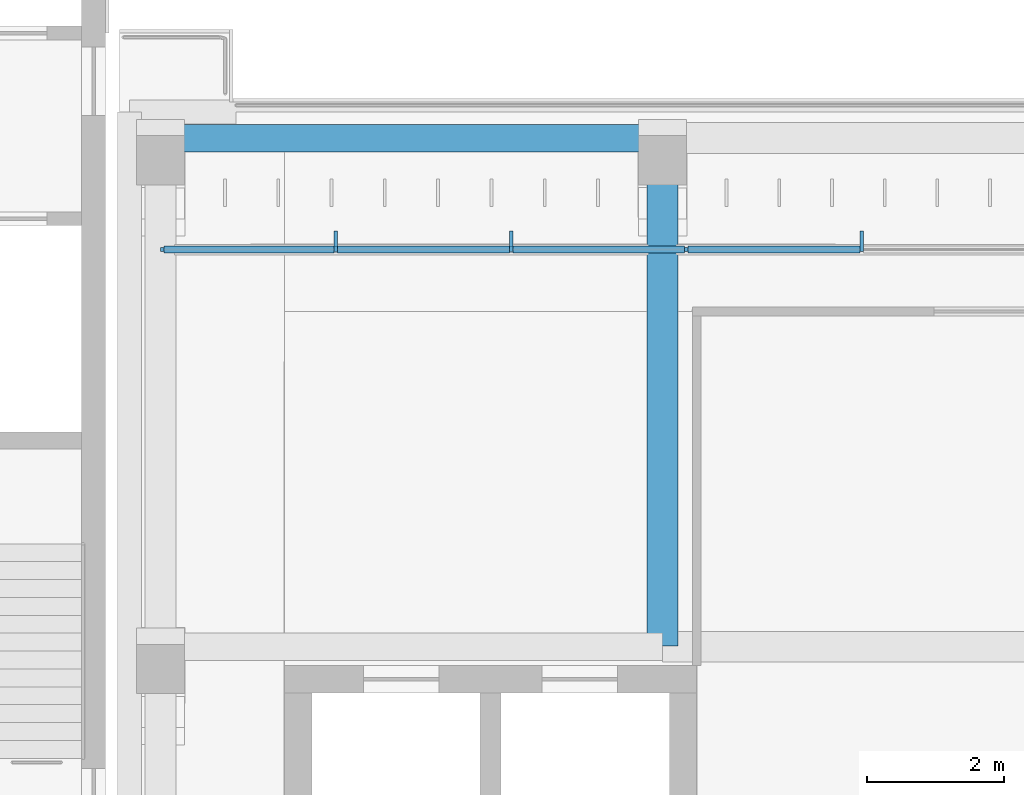
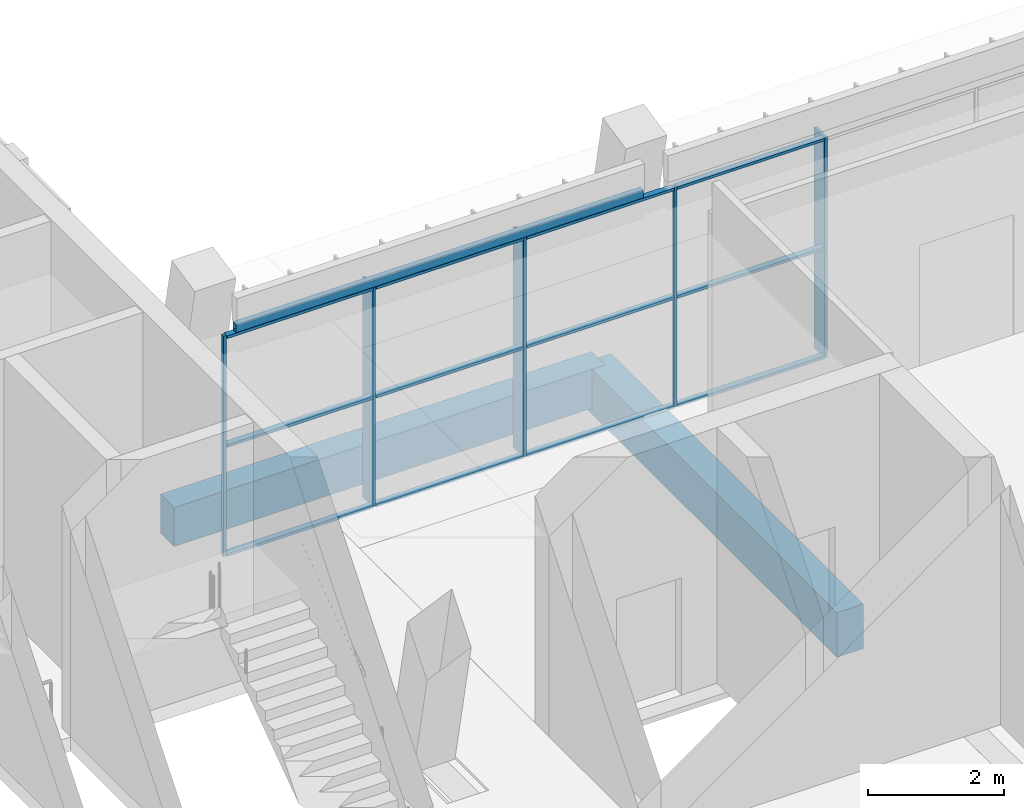
# One storey, part 4 of 74: 17 members, 3 beams, 1 element without a shape of its own.
"""IFC4 building model written with IfcOpenShell, lengths in metres."""

from ifc_helpers import new_model, si_unit, direction, frame, origin, origin_2d, place, context, subcontext, project, spatial, rectangle, hollow_rectangle, extrude, material, material_profile, profile_set, type_object, element, aggregate, save


model = new_model("IFC4")

# Units and contexts
model_context = context("Model", 3, precision=1e-05, world=origin(), true_north=direction((0.0, 1.0)))
body_context = subcontext(model_context, "Body", "Model", "MODEL_VIEW")
ifc_project = project(units=[si_unit("LENGTHUNIT", "METRE"), si_unit("AREAUNIT", "SQUARE_METRE"), si_unit("VOLUMEUNIT", "CUBIC_METRE"), si_unit("PLANEANGLEUNIT", "RADIAN"), si_unit("MASSUNIT", "GRAM", prefix="KILO")], contexts=[model_context])

# Site, building, storey
site_placement = place(None, origin())
site = spatial("IfcSite", under=ifc_project, at=site_placement, CompositionType="ELEMENT")
building_placement = place(site_placement, origin())
building = spatial("IfcBuilding", under=site, at=building_placement, Name="Lantern Court Media Centre", CompositionType="ELEMENT")
storey_placement = place(building_placement, frame((0.0, 0.0, 19.199951171875)))
storey = spatial("IfcBuildingStorey", under=building, at=storey_placement, Name="L04", CompositionType="ELEMENT", Elevation=19.199951171875)

# Curtain wall, members
ifc_material_1 = material(Name="Curtain wall bay 2400")
curtain_wall_type = type_object("IfcCurtainWallType", Name="Curtain wall bay 2400", PredefinedType="NOTDEFINED", material=ifc_material_1)
curtain_wall_placement = place(storey_placement, origin())
curtain_wall = element("IfcCurtainWall", 1, at=curtain_wall_placement, inside=storey, type_object=curtain_wall_type, Name="Curtain wall S inner L04", PredefinedType="NOTDEFINED")
ifc_material_2 = material(Name="Anodised aluminium", Category="aluminium")
ifc_material_profile_1 = material_profile(ifc_material_2, rectangle(XDim=0.300048828125, YDim=0.050048828125, at=origin_2d()), Name="AL 50x300")
ifc_profile_set_1 = profile_set([ifc_material_profile_1], Name="Anodised aluminium")
member_type_1 = type_object("IfcMemberType", Name="Curtain wall mullion 50x300", PredefinedType="MULLION", material=ifc_profile_set_1)
member_1_placement = place(storey_placement, frame((27.25, 57.969970703125, 0.0), z_axis=(0.0, 0.0, 1.0), x_axis=(0.0, 1.0, 0.0)))
member_1 = element("IfcMember", 2, at=member_1_placement, type_object=member_type_1, Name="CW2 mullion 2", PredefinedType="MULLION", context=body_context, shape_type="SweptSolid", body=[
    extrude(rectangle(XDim=0.300048828125, YDim=0.050048828125, at=origin_2d()), origin(), (0.0, 0.0, 1.0), 3.949951171875),
])
member_2_placement = place(storey_placement, frame((29.800048828125, 57.969970703125, 0.0), z_axis=(0.0, 0.0, 1.0), x_axis=(0.0, 1.0, 0.0)))
member_2 = element("IfcMember", 3, at=member_2_placement, type_object=member_type_1, Name="CW2 mullion 3", PredefinedType="MULLION", context=body_context, shape_type="SweptSolid", body=[
    extrude(rectangle(XDim=0.300048828125, YDim=0.050048828125, at=origin_2d()), origin(), (0.0, 0.0, 1.0), 3.949951171875),
])
member_3_placement = place(storey_placement, frame((34.89990234375, 57.969970703125, 0.0), z_axis=(0.0, 0.0, 1.0), x_axis=(0.0, 1.0, 0.0)))
member_3 = element("IfcMember", 4, at=member_3_placement, type_object=member_type_1, Name="CW2 mullion 5", PredefinedType="MULLION", context=body_context, shape_type="SweptSolid", body=[
    extrude(rectangle(XDim=0.300048828125, YDim=0.050048828125, at=origin_2d()), origin(), (0.0, 0.0, 1.0), 3.949951171875),
])
ifc_material_profile_2 = material_profile(ifc_material_2, rectangle(XDim=0.06005859375, YDim=0.050048828125, at=origin_2d()), Name="AL 50x60")
ifc_profile_set_2 = profile_set([ifc_material_profile_2], Name="Anodised aluminium")
member_type_2 = type_object("IfcMemberType", Name="Curtain wall mullion 50x60", PredefinedType="MULLION", material=ifc_profile_set_2)
member_4_placement = place(storey_placement, frame((24.72509765625, 57.85009765625, 0.0), z_axis=(0.0, 0.0, 1.0), x_axis=(0.0, 1.0, 0.0)))
member_4 = element("IfcMember", 5, at=member_4_placement, type_object=member_type_2, Name="CW2 mullion 1", PredefinedType="MULLION", context=body_context, shape_type="SweptSolid", body=[
    extrude(rectangle(XDim=0.06005859375, YDim=0.050048828125, at=origin_2d()), origin(), (0.0, 0.0, 1.0), 3.949951171875),
])
member_5_placement = place(storey_placement, frame((32.35009765625, 57.85009765625, 0.0), z_axis=(0.0, 0.0, 1.0), x_axis=(0.0, 1.0, 0.0)))
member_5 = element("IfcMember", 6, at=member_5_placement, type_object=member_type_2, Name="CW2 mullion 4", PredefinedType="MULLION", context=body_context, shape_type="SweptSolid", body=[
    extrude(rectangle(XDim=0.06005859375, YDim=0.050048828125, at=origin_2d()), origin(), (0.0, 0.0, 1.0), 3.949951171875),
])
ifc_material_profile_3 = material_profile(ifc_material_2, rectangle(XDim=0.10009765625, YDim=0.050048828125, at=origin_2d()), Name="AL 50x100")
ifc_profile_set_3 = profile_set([ifc_material_profile_3], Name="Anodised aluminium")
member_type_3 = type_object("IfcMemberType", Name="Curtain wall transom 100x50", PredefinedType="USERDEFINED", material=ifc_profile_set_3)
member_6_placement = place(storey_placement, frame((24.75, 57.85009765625, 0.025146484375), z_axis=(1.0, 0.0, 0.0), x_axis=(0.0, 1.0, 0.0)))
member_6 = element("IfcMember", 7, at=member_6_placement, type_object=member_type_3, Name="CW2 transom 1.1", ObjectType="TRANSOM", PredefinedType="USERDEFINED", context=body_context, shape_type="SweptSolid", body=[
    extrude(rectangle(XDim=0.10009765625, YDim=0.050048828125, at=origin_2d()), origin(), (0.0, 0.0, 1.0), 2.47509765625),
])
member_7_placement = place(storey_placement, frame((24.75, 57.85009765625, 1.97509765625), z_axis=(1.0, 0.0, 0.0), x_axis=(0.0, 1.0, 0.0)))
member_7 = element("IfcMember", 8, at=member_7_placement, type_object=member_type_3, Name="CW2 transom 1.2", ObjectType="TRANSOM", PredefinedType="USERDEFINED", context=body_context, shape_type="SweptSolid", body=[
    extrude(rectangle(XDim=0.10009765625, YDim=0.050048828125, at=origin_2d()), origin(), (0.0, 0.0, 1.0), 2.47509765625),
])
member_8_placement = place(storey_placement, frame((24.75, 57.85009765625, 3.925048828125), z_axis=(1.0, 0.0, 0.0), x_axis=(0.0, 1.0, 0.0)))
member_8 = element("IfcMember", 9, at=member_8_placement, type_object=member_type_3, Name="CW2 transom 1.3", ObjectType="TRANSOM", PredefinedType="USERDEFINED", context=body_context, shape_type="SweptSolid", body=[
    extrude(rectangle(XDim=0.10009765625, YDim=0.050048828125, at=origin_2d()), origin(), (0.0, 0.0, 1.0), 2.47509765625),
])
member_9_placement = place(storey_placement, frame((27.27490234375, 57.85009765625, 0.025146484375), z_axis=(1.0, 0.0, 0.0), x_axis=(0.0, 1.0, 0.0)))
member_9 = element("IfcMember", 10, at=member_9_placement, type_object=member_type_3, Name="CW2 transom 2.1", ObjectType="TRANSOM", PredefinedType="USERDEFINED", context=body_context, shape_type="SweptSolid", body=[
    extrude(rectangle(XDim=0.10009765625, YDim=0.050048828125, at=origin_2d()), origin(), (0.0, 0.0, 1.0), 2.5),
])
member_10_placement = place(storey_placement, frame((27.27490234375, 57.85009765625, 1.97509765625), z_axis=(1.0, 0.0, 0.0), x_axis=(0.0, 1.0, 0.0)))
member_10 = element("IfcMember", 11, at=member_10_placement, type_object=member_type_3, Name="CW2 transom 2.2", ObjectType="TRANSOM", PredefinedType="USERDEFINED", context=body_context, shape_type="SweptSolid", body=[
    extrude(rectangle(XDim=0.10009765625, YDim=0.050048828125, at=origin_2d()), origin(), (0.0, 0.0, 1.0), 2.5),
])
member_11_placement = place(storey_placement, frame((27.27490234375, 57.85009765625, 3.925048828125), z_axis=(1.0, 0.0, 0.0), x_axis=(0.0, 1.0, 0.0)))
member_11 = element("IfcMember", 12, at=member_11_placement, type_object=member_type_3, Name="CW2 transom 2.3", ObjectType="TRANSOM", PredefinedType="USERDEFINED", context=body_context, shape_type="SweptSolid", body=[
    extrude(rectangle(XDim=0.10009765625, YDim=0.050048828125, at=origin_2d()), origin(), (0.0, 0.0, 1.0), 2.5),
])
member_12_placement = place(storey_placement, frame((29.824951171875, 57.85009765625, 0.025146484375), z_axis=(1.0, 0.0, 0.0), x_axis=(0.0, 1.0, 0.0)))
member_12 = element("IfcMember", 13, at=member_12_placement, type_object=member_type_3, Name="CW2 transom 3.1", ObjectType="TRANSOM", PredefinedType="USERDEFINED", context=body_context, shape_type="SweptSolid", body=[
    extrude(rectangle(XDim=0.10009765625, YDim=0.050048828125, at=origin_2d()), origin(), (0.0, 0.0, 1.0), 2.5),
])
member_13_placement = place(storey_placement, frame((29.824951171875, 57.85009765625, 1.97509765625), z_axis=(1.0, 0.0, 0.0), x_axis=(0.0, 1.0, 0.0)))
member_13 = element("IfcMember", 14, at=member_13_placement, type_object=member_type_3, Name="CW2 transom 3.2", ObjectType="TRANSOM", PredefinedType="USERDEFINED", context=body_context, shape_type="SweptSolid", body=[
    extrude(rectangle(XDim=0.10009765625, YDim=0.050048828125, at=origin_2d()), origin(), (0.0, 0.0, 1.0), 2.5),
])
member_14_placement = place(storey_placement, frame((29.824951171875, 57.85009765625, 3.925048828125), z_axis=(1.0, 0.0, 0.0), x_axis=(0.0, 1.0, 0.0)))
member_14 = element("IfcMember", 15, at=member_14_placement, type_object=member_type_3, Name="CW2 transom 3.3", ObjectType="TRANSOM", PredefinedType="USERDEFINED", context=body_context, shape_type="SweptSolid", body=[
    extrude(rectangle(XDim=0.10009765625, YDim=0.050048828125, at=origin_2d()), origin(), (0.0, 0.0, 1.0), 2.5),
])
member_15_placement = place(storey_placement, frame((32.375, 57.85009765625, 0.025146484375), z_axis=(1.0, 0.0, 0.0), x_axis=(0.0, 1.0, 0.0)))
member_15 = element("IfcMember", 16, at=member_15_placement, type_object=member_type_3, Name="CW2 transom 4.1", ObjectType="TRANSOM", PredefinedType="USERDEFINED", context=body_context, shape_type="SweptSolid", body=[
    extrude(rectangle(XDim=0.10009765625, YDim=0.050048828125, at=origin_2d()), origin(), (0.0, 0.0, 1.0), 2.5),
])
member_16_placement = place(storey_placement, frame((32.375, 57.85009765625, 1.97509765625), z_axis=(1.0, 0.0, 0.0), x_axis=(0.0, 1.0, 0.0)))
member_16 = element("IfcMember", 17, at=member_16_placement, type_object=member_type_3, Name="CW2 transom 4.2", ObjectType="TRANSOM", PredefinedType="USERDEFINED", context=body_context, shape_type="SweptSolid", body=[
    extrude(rectangle(XDim=0.10009765625, YDim=0.050048828125, at=origin_2d()), origin(), (0.0, 0.0, 1.0), 2.5),
])
member_17_placement = place(storey_placement, frame((32.375, 57.85009765625, 3.925048828125), z_axis=(1.0, 0.0, 0.0), x_axis=(0.0, 1.0, 0.0)))
member_17 = element("IfcMember", 18, at=member_17_placement, type_object=member_type_3, Name="CW2 transom 4.3", ObjectType="TRANSOM", PredefinedType="USERDEFINED", context=body_context, shape_type="SweptSolid", body=[
    extrude(rectangle(XDim=0.10009765625, YDim=0.050048828125, at=origin_2d()), origin(), (0.0, 0.0, 1.0), 2.5),
])
aggregate(curtain_wall, [member_4, member_1, member_2, member_5, member_3, member_6, member_7, member_8, member_9, member_10, member_11, member_12, member_13, member_14, member_15, member_16, member_17])

# Beams
ifc_material_3 = material(Name="Steel S355J2 (EN 10025-2)", Category="steel")
ifc_material_profile_4 = material_profile(ifc_material_3, hollow_rectangle(XDim=0.10009765625, YDim=0.14990234375, WallThickness=0.00634765625, InnerFilletRadius=0.00634765625, OuterFilletRadius=0.009521484375, at=origin_2d()), Name="Facade head lintel RHS 150x100x6.3")
ifc_profile_set_4 = profile_set([ifc_material_profile_4], Name="Steel S355J2 (EN 10025-2)")
beam_type_1 = type_object("IfcBeamType", Name="Facade head lintel RHS 150x100x6.3", PredefinedType="BEAM", material=ifc_profile_set_4)
beam_1_placement = place(storey_placement, frame((24.89990234375, 57.85009765625, 4.025146484375), z_axis=(1.0, 0.0, 0.0), x_axis=(0.0, 1.0, 0.0)))
element("IfcBeam", 19, at=beam_1_placement, inside=storey, type_object=beam_type_1, Name="Facade head lintel S L04", PredefinedType="BEAM", context=body_context, shape_type="SweptSolid", body=[
    extrude(hollow_rectangle(XDim=0.10009765625, YDim=0.14990234375, WallThickness=0.00634765625, InnerFilletRadius=0.00634765625, OuterFilletRadius=0.009521484375, at=origin_2d()), origin(), (0.0, 0.0, 1.0), 6.900146484375),
])
ifc_material_4 = material(Name="Concrete C35", Category="concrete")
ifc_material_profile_5 = material_profile(ifc_material_4, rectangle(XDim=0.39990234375, YDim=0.699951171875, at=origin_2d()), Name="RC 400x700")
ifc_profile_set_5 = profile_set([ifc_material_profile_5], Name="Concrete C35")
beam_type_2 = type_object("IfcBeamType", Name="RC BEAM 400x700", PredefinedType="BEAM", material=ifc_profile_set_5)
beam_2_placement = place(storey_placement, frame((24.699951171875, 59.472900390625, -0.349853515625), z_axis=(1.0, 0.0, 0.0), x_axis=(0.0, 1.0, 0.0)))
element("IfcBeam", 20, at=beam_2_placement, inside=storey, type_object=beam_type_2, Name="LB-S-L04-2-0", PredefinedType="BEAM", context=body_context, shape_type="SweptSolid", body=[
    extrude(rectangle(XDim=0.39990234375, YDim=0.699951171875, at=origin_2d()), origin(), (0.0, 0.0, 1.0), 7.300048828125),
])
ifc_material_profile_6 = material_profile(ifc_material_4, rectangle(XDim=0.449951171875, YDim=0.800048828125, at=origin_2d()), Name="RC 450x800")
ifc_profile_set_6 = profile_set([ifc_material_profile_6], Name="Concrete C35")
beam_type_3 = type_object("IfcBeamType", Name="RC BEAM 450x800", PredefinedType="BEAM", material=ifc_profile_set_6)
beam_3_placement = place(storey_placement, frame((32.0, 52.083251953125, -0.39990234375), z_axis=(0.0, 1.0, 0.0), x_axis=(-1.0, 0.0, 0.0)))
element("IfcBeam", 21, at=beam_3_placement, inside=storey, type_object=beam_type_3, Name="TB-S-L04-1-2", PredefinedType="BEAM", context=body_context, shape_type="SweptSolid", body=[
    extrude(rectangle(XDim=0.449951171875, YDim=0.800048828125, at=origin_2d()), origin(), (0.0, 0.0, 1.0), 7.400146484375),
])

save(model, "model.ifc")
